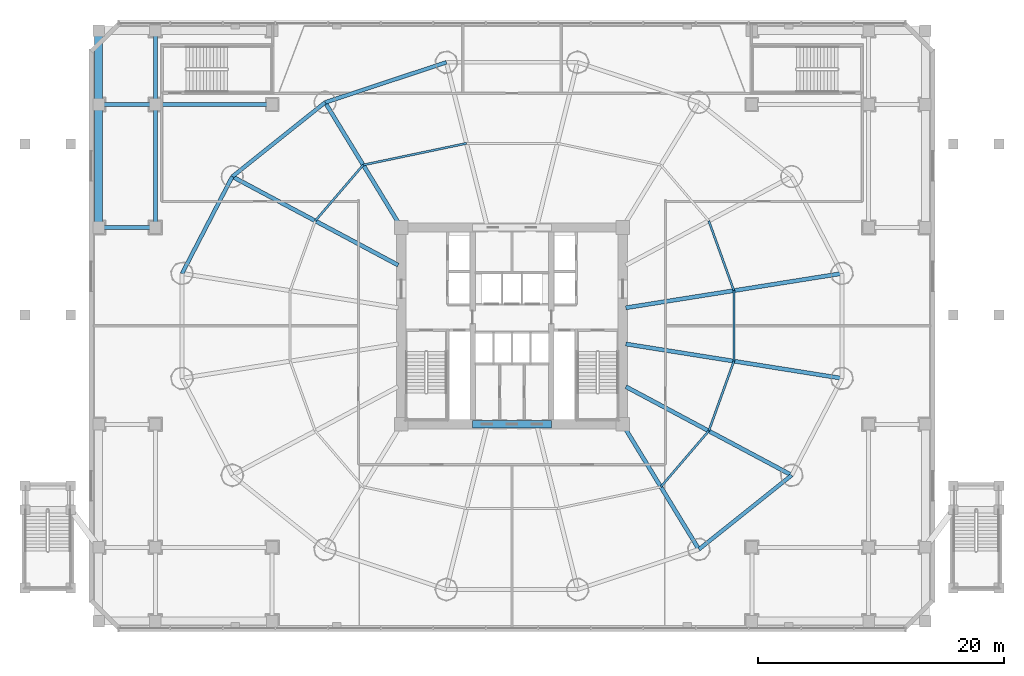
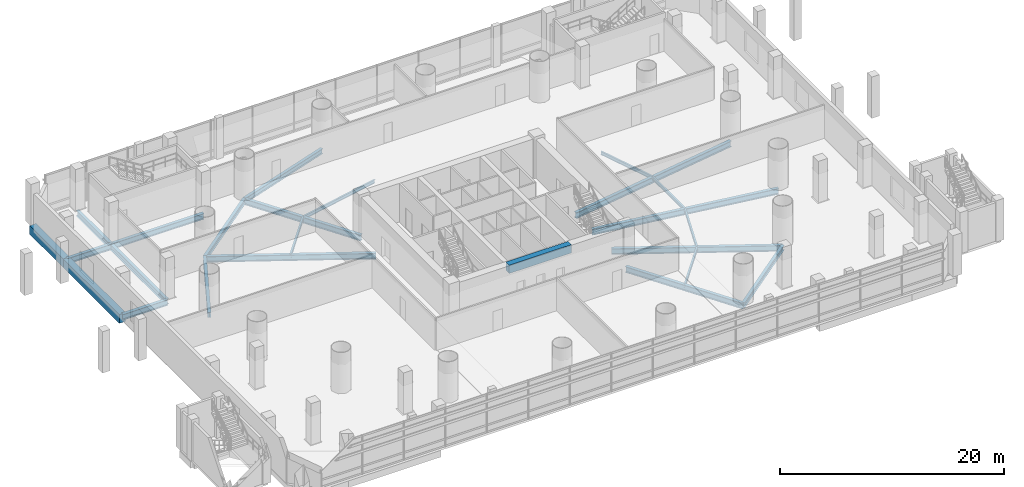
# One storey, part 10 of 36: 24 beams.
"""IFC4 building model written with IfcOpenShell, lengths in metres."""

from ifc_helpers import new_model, si_unit, direction, frame, origin, origin_2d, place, context, subcontext, project, spatial, rectangle, i_section, extrude, material, material_profile, profile_set, type_object, element, save


model = new_model("IFC4")

# Units and contexts
model_context = context("Model", 3, precision=1e-05, world=origin(), true_north=direction((-0.2419218956, 0.970295726276)))
body_context = subcontext(model_context, "Body", "Model", "MODEL_VIEW")
ifc_project = project(units=[si_unit("LENGTHUNIT", "METRE"), si_unit("AREAUNIT", "SQUARE_METRE"), si_unit("VOLUMEUNIT", "CUBIC_METRE"), si_unit("PLANEANGLEUNIT", "RADIAN"), si_unit("MASSUNIT", "GRAM", prefix="KILO")], contexts=[model_context])

# Site, building, storey
site_placement = place(None, origin())
site = spatial("IfcSite", under=ifc_project, at=site_placement, CompositionType="ELEMENT")
building_placement = place(site_placement, origin())
building = spatial("IfcBuilding", under=site, at=building_placement, Name="Cobrevalo Terracotta Tower", CompositionType="ELEMENT")
storey_placement = place(building_placement, frame((0.0, 0.0, 9.89990234375)))
storey = spatial("IfcBuildingStorey", under=building, at=storey_placement, Name="L02", CompositionType="ELEMENT", Elevation=9.89990234375)

# Beams
ifc_material_1 = material(Name="Concrete C60", Category="concrete")
ifc_material_profile_1 = material_profile(ifc_material_1, rectangle(XDim=0.60009765625, YDim=0.89990234375, at=origin_2d()), Name="RC CB 600x900")
ifc_profile_set_1 = profile_set([ifc_material_profile_1], Name="Concrete C60")
beam_type_1 = type_object("IfcBeamType", Name="Structural Beam RC CB 600x900 (Concrete C60)", PredefinedType="BEAM", material=ifc_profile_set_1)
beam_1_placement = place(storey_placement, frame((34.800048828125, 18.800048828125, 3.75), z_axis=(1.0, 0.0, 0.0), x_axis=(0.0, 1.0, 0.0)))
element("IfcBeam", 1, at=beam_1_placement, inside=storey, type_object=beam_type_1, Name="L02 core coupling beam 1", PredefinedType="BEAM", context=body_context, shape_type="SweptSolid", body=[
    extrude(rectangle(XDim=0.60009765625, YDim=0.89990234375, at=origin_2d()), origin(), (0.0, 0.0, 1.0), 6.39990234375),
])
ifc_material_2 = material(Name="Steel S355", Category="steel")
ifc_material_profile_2 = material_profile(ifc_material_2, i_section(OverallWidth=0.324951171875, OverallDepth=0.615966796875, WebThickness=0.013916015625, FlangeThickness=0.021484375, at=origin_2d()), Name="W 610x174")
ifc_profile_set_2 = profile_set([ifc_material_profile_2], Name="Steel S355")
beam_type_2 = type_object("IfcBeamType", Name="Structural Beam W 610x174 (Steel S355)", PredefinedType="BEAM", material=ifc_profile_set_2)
for number, where, z_axis, x_axis, name in (
    (2, (4.39990234375, 34.800048828125, -0.60791015625), (1.0, 0.0, 0.0), (0.0, 1.0, 0.0), "L02 podium grid beam G1-GE to G2-GE"),
    (3, (4.39990234375, 44.800048828125, -0.60791015625), (1.0, 0.0, 0.0), (0.0, 1.0, 0.0), "L02 podium grid beam G1-GF to G2-GF"),
):
    element("IfcBeam", number, at=place(storey_placement, frame(where, z_axis=z_axis, x_axis=x_axis)), inside=storey, type_object=beam_type_2, Name=name, PredefinedType="BEAM", context=body_context, shape_type="SweptSolid", body=[
        extrude(i_section(OverallWidth=0.324951171875, OverallDepth=0.615966796875, WebThickness=0.013916015625, FlangeThickness=0.021484375, at=origin_2d()), origin(), (0.0, 0.0, 1.0), 4.60009765625),
    ])
beam_2_placement = place(storey_placement, frame((9.0, 34.800048828125, -0.60791015625), z_axis=(0.0, 1.0, 0.0), x_axis=(-1.0, 0.0, 0.0)))
element("IfcBeam", 4, at=beam_2_placement, inside=storey, type_object=beam_type_2, Name="L02 podium grid beam G2-GE to G2-GF", PredefinedType="BEAM", context=body_context, shape_type="SweptSolid", body=[
    extrude(i_section(OverallWidth=0.324951171875, OverallDepth=0.615966796875, WebThickness=0.013916015625, FlangeThickness=0.021484375, at=origin_2d()), origin(), (0.0, 0.0, 1.0), 10.0),
])
beam_3_placement = place(storey_placement, frame((9.0, 44.800048828125, -0.60791015625), z_axis=(0.0, 1.0, 0.0), x_axis=(-1.0, 0.0, 0.0)))
element("IfcBeam", 5, at=beam_3_placement, inside=storey, type_object=beam_type_2, Name="L02 podium grid beam G2-GF to G2-GG", PredefinedType="BEAM", context=body_context, shape_type="SweptSolid", body=[
    extrude(i_section(OverallWidth=0.324951171875, OverallDepth=0.615966796875, WebThickness=0.013916015625, FlangeThickness=0.021484375, at=origin_2d()), origin(), (0.0, 0.0, 1.0), 6.0),
])
beam_4_placement = place(storey_placement, frame((9.0, 44.800048828125, -0.60791015625), z_axis=(1.0, 0.0, 0.0), x_axis=(0.0, 1.0, 0.0)))
element("IfcBeam", 6, at=beam_4_placement, inside=storey, type_object=beam_type_2, Name="L02 podium grid beam G2-GF to G3-GF", PredefinedType="BEAM", context=body_context, shape_type="SweptSolid", body=[
    extrude(i_section(OverallWidth=0.324951171875, OverallDepth=0.615966796875, WebThickness=0.013916015625, FlangeThickness=0.021484375, at=origin_2d()), origin(), (0.0, 0.0, 1.0), 9.5),
])
ifc_material_profile_3 = material_profile(ifc_material_2, i_section(OverallWidth=0.3291015625, OverallDepth=0.635009765625, WebThickness=0.017822265625, FlangeThickness=0.031005859375, at=origin_2d()), Name="W 610x241")
ifc_profile_set_3 = profile_set([ifc_material_profile_3], Name="Steel S355")
beam_type_3 = type_object("IfcBeamType", Name="Structural Beam W 610x241 (Steel S355)", PredefinedType="BEAM", material=ifc_profile_set_3)
beam_5_placement = place(storey_placement, frame((64.824462890625, 31.062744140625, -0.617431640625), z_axis=(-0.987607924622, -0.156941349628, 0.0), x_axis=(0.156941349628, -0.987607924622, 0.0)))
element("IfcBeam", 7, at=beam_5_placement, inside=storey, type_object=beam_type_3, Name="L02 radial floor girder 01", PredefinedType="BEAM", context=body_context, shape_type="SweptSolid", body=[
    extrude(i_section(OverallWidth=0.3291015625, OverallDepth=0.635009765625, WebThickness=0.017822265625, FlangeThickness=0.031005859375, at=origin_2d()), origin(), (0.0, 0.0, 1.0), 17.7900390625),
])
beam_6_placement = place(storey_placement, frame((22.80517578125, 44.967529296875, -0.617431640625), z_axis=(0.520309892051, -0.853977526773, 0.0), x_axis=(0.853977526773, 0.520309892051, 0.0)))
element("IfcBeam", 8, at=beam_6_placement, inside=storey, type_object=beam_type_3, Name="L02 radial floor girder 06", PredefinedType="BEAM", context=body_context, shape_type="SweptSolid", body=[
    extrude(i_section(OverallWidth=0.3291015625, OverallDepth=0.635009765625, WebThickness=0.017822265625, FlangeThickness=0.031005859375, at=origin_2d()), origin(), (0.0, 0.0, 1.0), 11.906005859375),
])
beam_7_placement = place(storey_placement, frame((15.25927734375, 38.939208984375, -0.617431640625), z_axis=(0.88218223571, -0.470908168329, 0.0), x_axis=(0.470908168329, 0.88218223571, 0.0)))
element("IfcBeam", 9, at=beam_7_placement, inside=storey, type_object=beam_type_3, Name="L02 radial floor girder 07", PredefinedType="BEAM", context=body_context, shape_type="SweptSolid", body=[
    extrude(i_section(OverallWidth=0.3291015625, OverallDepth=0.635009765625, WebThickness=0.017822265625, FlangeThickness=0.031005859375, at=origin_2d()), origin(), (0.0, 0.0, 1.0), 15.286865234375),
])
beam_8_placement = place(storey_placement, frame((53.19482421875, 8.63232421875, -0.617431640625), z_axis=(-0.520300780853, 0.853983077961, 0.0), x_axis=(-0.853983077961, -0.520300780853, 0.0)))
element("IfcBeam", 10, at=beam_8_placement, inside=storey, type_object=beam_type_3, Name="L02 radial floor girder 14", PredefinedType="BEAM", context=body_context, shape_type="SweptSolid", body=[
    extrude(i_section(OverallWidth=0.3291015625, OverallDepth=0.635009765625, WebThickness=0.017822265625, FlangeThickness=0.031005859375, at=origin_2d()), origin(), (0.0, 0.0, 1.0), 11.90625),
])
beam_9_placement = place(storey_placement, frame((60.74072265625, 14.660888671875, -0.617431640625), z_axis=(-0.88218223571, 0.470908168329, 0.0), x_axis=(-0.470908168329, -0.88218223571, 0.0)))
element("IfcBeam", 11, at=beam_9_placement, inside=storey, type_object=beam_type_3, Name="L02 radial floor girder 15", PredefinedType="BEAM", context=body_context, shape_type="SweptSolid", body=[
    extrude(i_section(OverallWidth=0.3291015625, OverallDepth=0.635009765625, WebThickness=0.017822265625, FlangeThickness=0.031005859375, at=origin_2d()), origin(), (0.0, 0.0, 1.0), 15.286865234375),
])
beam_10_placement = place(storey_placement, frame((64.824462890625, 22.537353515625, -0.617431640625), z_axis=(-0.987607924622, 0.156941349628, 0.0), x_axis=(-0.156941349628, -0.987607924622, 0.0)))
element("IfcBeam", 12, at=beam_10_placement, inside=storey, type_object=beam_type_3, Name="L02 radial floor girder 16", PredefinedType="BEAM", context=body_context, shape_type="SweptSolid", body=[
    extrude(i_section(OverallWidth=0.3291015625, OverallDepth=0.635009765625, WebThickness=0.017822265625, FlangeThickness=0.031005859375, at=origin_2d()), origin(), (0.0, 0.0, 1.0), 17.7900390625),
])
ifc_material_profile_4 = material_profile(ifc_material_2, i_section(OverallWidth=0.1708984375, OverallDepth=0.35498046875, WebThickness=0.007080078125, FlangeThickness=0.01171875, at=origin_2d()), Name="W 360x51")
ifc_profile_set_4 = profile_set([ifc_material_profile_4], Name="Steel S355")
beam_type_4 = type_object("IfcBeamType", Name="Structural Joist W 360x51 (Steel S355)", PredefinedType="JOIST", material=ifc_profile_set_4)
beam_11_placement = place(storey_placement, frame((56.039794921875, 29.666748046875, -0.477294921875), z_axis=(-0.338672151116, 0.940904444701, 0.0), x_axis=(-0.940904444701, -0.338672151116, 0.0)))
element("IfcBeam", 13, at=beam_11_placement, inside=storey, type_object=beam_type_4, Name="L02 circumferential secondary floor joist 01", PredefinedType="JOIST", context=body_context, shape_type="SweptSolid", body=[
    extrude(i_section(OverallWidth=0.1708984375, OverallDepth=0.35498046875, WebThickness=0.007080078125, FlangeThickness=0.01171875, at=origin_2d()), origin(), (0.0, 0.0, 1.0), 6.029296875),
])
beam_12_placement = place(storey_placement, frame((34.304443359375, 41.642578125, -0.477294921875), z_axis=(-0.978784523904, -0.204892302848, 0.0), x_axis=(0.204892302848, -0.978784523904, 0.0)))
element("IfcBeam", 14, at=beam_12_placement, inside=storey, type_object=beam_type_4, Name="L02 circumferential secondary floor joist 05", PredefinedType="JOIST", context=body_context, shape_type="SweptSolid", body=[
    extrude(i_section(OverallWidth=0.1708984375, OverallDepth=0.35498046875, WebThickness=0.007080078125, FlangeThickness=0.01171875, at=origin_2d()), origin(), (0.0, 0.0, 1.0), 8.583984375),
])
for number, where, z_axis, x_axis, name in (
    (15, (25.902587890625, 39.8837890625, -0.477294921875), (-0.651328404454, -0.758795960421, 0.0), (0.758795960421, -0.651328404454, 0.0), "L02 circumferential secondary floor joist 06"),
    (16, (50.097412109375, 13.71630859375, -0.477294921875), (0.651328404454, 0.758795960421, 0.0), (-0.758795960421, 0.651328404454, 0.0), "L02 circumferential secondary floor joist 14"),
):
    element("IfcBeam", number, at=place(storey_placement, frame(where, z_axis=z_axis, x_axis=x_axis)), inside=storey, type_object=beam_type_4, Name=name, PredefinedType="JOIST", context=body_context, shape_type="SweptSolid", body=[
        extrude(i_section(OverallWidth=0.1708984375, OverallDepth=0.35498046875, WebThickness=0.007080078125, FlangeThickness=0.01171875, at=origin_2d()), origin(), (0.0, 0.0, 1.0), 5.98828125),
    ])
beam_13_placement = place(storey_placement, frame((53.997802734375, 18.26025390625, -0.477294921875), z_axis=(0.338672151116, 0.940904444701, 0.0), x_axis=(-0.940904444701, 0.338672151116, 0.0)))
element("IfcBeam", 17, at=beam_13_placement, inside=storey, type_object=beam_type_4, Name="L02 circumferential secondary floor joist 15", PredefinedType="JOIST", context=body_context, shape_type="SweptSolid", body=[
    extrude(i_section(OverallWidth=0.1708984375, OverallDepth=0.35498046875, WebThickness=0.007080078125, FlangeThickness=0.01171875, at=origin_2d()), origin(), (0.0, 0.0, 1.0), 6.029296875),
])
beam_14_placement = place(storey_placement, frame((56.039794921875, 23.933349609375, -0.477294921875), z_axis=(0.0, 1.0, 0.0), x_axis=(-1.0, 0.0, 0.0)))
element("IfcBeam", 18, at=beam_14_placement, inside=storey, type_object=beam_type_4, Name="L02 circumferential secondary floor joist 16", PredefinedType="JOIST", context=body_context, shape_type="SweptSolid", body=[
    extrude(i_section(OverallWidth=0.1708984375, OverallDepth=0.35498046875, WebThickness=0.007080078125, FlangeThickness=0.01171875, at=origin_2d()), origin(), (0.0, 0.0, 1.0), 5.7333984375),
])
ifc_material_3 = material(Name="Concrete C50", Category="concrete")
ifc_material_profile_5 = material_profile(ifc_material_3, rectangle(XDim=0.64990234375, YDim=0.949951171875, at=origin_2d()), Name="RC BM 650x950")
ifc_profile_set_5 = profile_set([ifc_material_profile_5], Name="Concrete C50")
beam_type_5 = type_object("IfcBeamType", Name="Structural Spandrel RC BM 650x950 (Concrete C50)", PredefinedType="SPANDREL", material=ifc_profile_set_5)
beam_15_placement = place(storey_placement, frame((4.39990234375, 34.800048828125, -0.77490234375), z_axis=(0.0, 1.0, 0.0), x_axis=(-1.0, 0.0, 0.0)))
element("IfcBeam", 19, at=beam_15_placement, inside=storey, type_object=beam_type_5, Name="L02 podium grid beam G1-GE to G1-GF", PredefinedType="SPANDREL", context=body_context, shape_type="SweptSolid", body=[
    extrude(rectangle(XDim=0.64990234375, YDim=0.949951171875, at=origin_2d()), origin(), (0.0, 0.0, 1.0), 10.0),
])
beam_16_placement = place(storey_placement, frame((4.39990234375, 44.800048828125, -0.77490234375), z_axis=(0.0, 1.0, 0.0), x_axis=(-1.0, 0.0, 0.0)))
element("IfcBeam", 20, at=beam_16_placement, inside=storey, type_object=beam_type_5, Name="L02 podium grid beam G1-GF to G1-GG", PredefinedType="SPANDREL", context=body_context, shape_type="SweptSolid", body=[
    extrude(rectangle(XDim=0.64990234375, YDim=0.949951171875, at=origin_2d()), origin(), (0.0, 0.0, 1.0), 6.0),
])
ifc_material_profile_6 = material_profile(ifc_material_2, i_section(OverallWidth=0.31201171875, OverallDepth=0.54296875, WebThickness=0.0126953125, FlangeThickness=0.020263671875, at=origin_2d()), Name="W 530x150")
ifc_profile_set_6 = profile_set([ifc_material_profile_6], Name="Steel S355")
beam_type_6 = type_object("IfcBeamType", Name="Structural Spandrel W 530x150 (Steel S355)", PredefinedType="SPANDREL", material=ifc_profile_set_6)
beam_17_placement = place(storey_placement, frame((32.664306640625, 48.230224609375, -0.5712890625), z_axis=(-0.949365190876, -0.314174687638, 0.0), x_axis=(0.314174687638, -0.949365190876, 0.0)))
element("IfcBeam", 21, at=beam_17_placement, inside=storey, type_object=beam_type_6, Name="L02 perimeter ring spandrel 05", PredefinedType="SPANDREL", context=body_context, shape_type="SweptSolid", body=[
    extrude(i_section(OverallWidth=0.31201171875, OverallDepth=0.54296875, WebThickness=0.0126953125, FlangeThickness=0.020263671875, at=origin_2d()), origin(), (0.0, 0.0, 1.0), 10.385009765625),
])
beam_18_placement = place(storey_placement, frame((22.80517578125, 44.967529296875, -0.5712890625), z_axis=(-0.781292806807, -0.62416468182, 0.0), x_axis=(0.62416468182, -0.781292806807, 0.0)))
element("IfcBeam", 22, at=beam_18_placement, inside=storey, type_object=beam_type_6, Name="L02 perimeter ring spandrel 06", PredefinedType="SPANDREL", context=body_context, shape_type="SweptSolid", body=[
    extrude(i_section(OverallWidth=0.31201171875, OverallDepth=0.54296875, WebThickness=0.0126953125, FlangeThickness=0.020263671875, at=origin_2d()), origin(), (0.0, 0.0, 1.0), 9.658203125),
])
beam_19_placement = place(storey_placement, frame((15.25927734375, 38.939208984375, -0.5712890625), z_axis=(-0.460285838799, -0.88777077368, 0.0), x_axis=(0.88777077368, -0.460285838799, 0.0)))
element("IfcBeam", 23, at=beam_19_placement, inside=storey, type_object=beam_type_6, Name="L02 perimeter ring spandrel 07", PredefinedType="SPANDREL", context=body_context, shape_type="SweptSolid", body=[
    extrude(i_section(OverallWidth=0.31201171875, OverallDepth=0.54296875, WebThickness=0.0126953125, FlangeThickness=0.020263671875, at=origin_2d()), origin(), (0.0, 0.0, 1.0), 8.8720703125),
])
beam_20_placement = place(storey_placement, frame((53.19482421875, 8.63232421875, -0.5712890625), z_axis=(0.781280479891, 0.62418011162, 0.0), x_axis=(-0.62418011162, 0.781280479891, 0.0)))
element("IfcBeam", 24, at=beam_20_placement, inside=storey, type_object=beam_type_6, Name="L02 perimeter ring spandrel 14", PredefinedType="SPANDREL", context=body_context, shape_type="SweptSolid", body=[
    extrude(i_section(OverallWidth=0.31201171875, OverallDepth=0.54296875, WebThickness=0.0126953125, FlangeThickness=0.020263671875, at=origin_2d()), origin(), (0.0, 0.0, 1.0), 9.658447265625),
])

save(model, "model.ifc")
